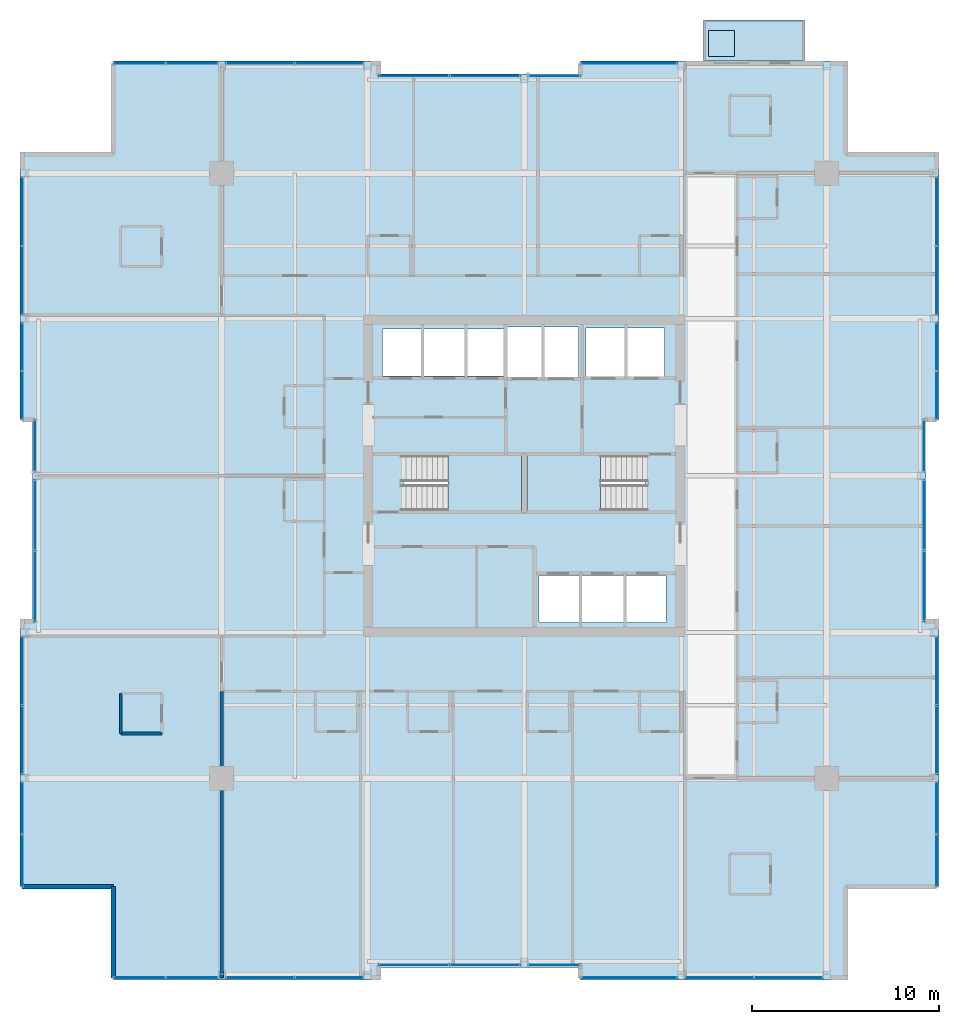
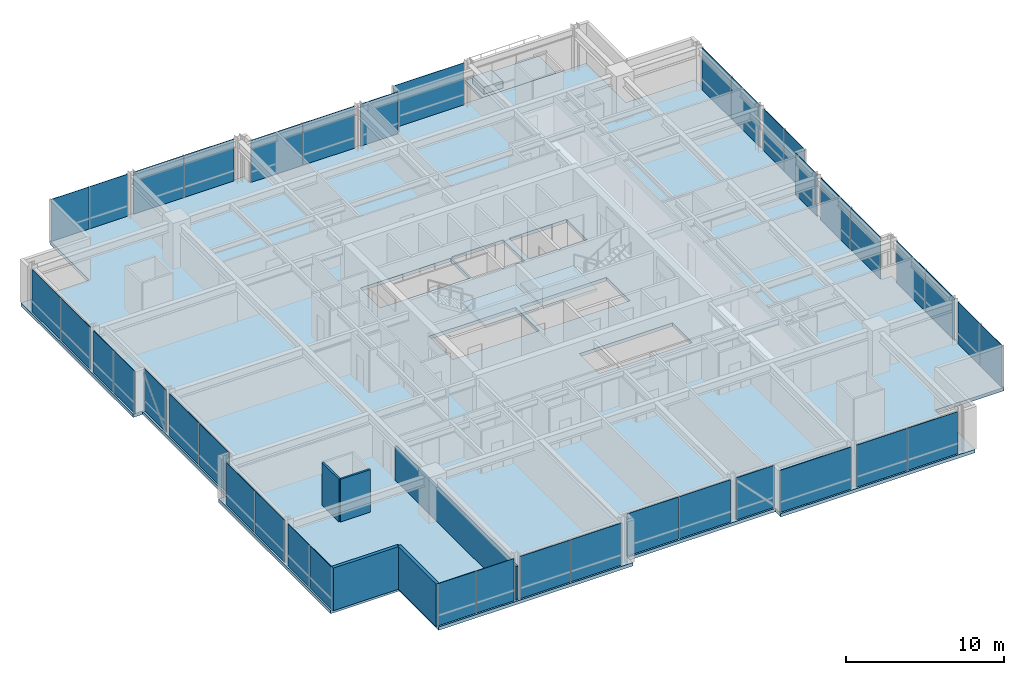
# One storey, part 26 of 34: 40 plates, 5 slabs, 5 walls, 25 elements without a shape of their own.
"""IFC4 building model written with IfcOpenShell, lengths in metres."""

from ifc_helpers import new_model, si_unit, direction, frame, frame_2d, origin, origin_2d, place, context, subcontext, project, spatial, polyline, rectangle, outline, extrude, material, layer, layer_set, type_object, element, aggregate, save


model = new_model("IFC4")

# Units and contexts
model_context = context("Model", 3, precision=1e-05, world=origin(), true_north=direction((0.0, 1.0)))
body_context = subcontext(model_context, "Body", "Model", "MODEL_VIEW")
ifc_project = project(units=[si_unit("LENGTHUNIT", "METRE"), si_unit("AREAUNIT", "SQUARE_METRE"), si_unit("VOLUMEUNIT", "CUBIC_METRE"), si_unit("PLANEANGLEUNIT", "RADIAN"), si_unit("MASSUNIT", "GRAM", prefix="KILO")], contexts=[model_context])

# Site, building, storey
site_placement = place(None, origin())
site = spatial("IfcSite", under=ifc_project, at=site_placement, CompositionType="ELEMENT")
building_placement = place(site_placement, origin())
building = spatial("IfcBuilding", under=site, at=building_placement, Name="Drelvath Grand Hotel", CompositionType="ELEMENT")
storey_placement = place(building_placement, frame((0.0, 0.0, 175.25)))
storey = spatial("IfcBuildingStorey", under=building, at=storey_placement, Name="L45", CompositionType="ELEMENT", Elevation=175.25)

# Slabs
ifc_material_1 = material(Name="Concrete f'c 40 MPa", Category="concrete")
ifc_layer_1 = layer(ifc_material_1, 0.239990234375)
ifc_layer_set_1 = layer_set([ifc_layer_1], Name="Concrete f'c 40 MPa")
slab_type_1 = type_object("IfcSlabType", Name="Cantilevered Tree Balcony Slab 240", PredefinedType="FLOOR", material=ifc_layer_set_1)
slab_1_placement = place(storey_placement, frame((0.0, 0.0, -0.239990234375)))
element("IfcSlab", 1, at=slab_1_placement, inside=storey, type_object=slab_type_1, Name="L45 Cantilevered Tree Balcony Slab 1", PredefinedType="FLOOR", context=body_context, shape_type="SweptSolid", body=[
    extrude(outline(polyline([(9.60009765625, 49.199951171875), (15.0, 49.199951171875), (15.0, 51.39990234375), (9.60009765625, 51.39990234375), (9.60009765625, 49.199951171875)])), origin(), (0.0, 0.0, 1.0), 0.239990234375),
])
ifc_layer_2 = layer(ifc_material_1, 0.260009765625)
ifc_layer_set_2 = layer_set([ifc_layer_2], Name="Concrete f'c 40 MPa")
slab_type_2 = type_object("IfcSlabType", Name="Composite RC Floor Slab 260", PredefinedType="FLOOR", material=ifc_layer_set_2)
slab_2_placement = place(storey_placement, frame((0.0, 0.0, -0.260009765625)))
element("IfcSlab", 2, at=slab_2_placement, inside=storey, type_object=slab_type_2, Name="L45 Structural Floor Slab", PredefinedType="FLOOR", context=body_context, shape_type="SweptSolid", body=[
    extrude(outline(polyline([(-22.0, 0.0), (-7.800048828125, 0.0), (-7.800048828125, 0.679931640625), (3.0, 0.679931640625), (3.0, 0.0), (17.199951171875, 0.0), (17.199951171875, 5.0), (22.199951171875, 5.0), (22.199951171875, 19.199951171875), (21.52001953125, 19.199951171875), (21.52001953125, 30.0), (22.199951171875, 30.0), (22.199951171875, 44.199951171875), (17.199951171875, 44.199951171875), (17.199951171875, 49.199951171875), (3.0, 49.199951171875), (3.0, 48.52001953125), (-7.800048828125, 48.52001953125), (-7.800048828125, 49.199951171875), (-22.0, 49.199951171875), (-22.0, 44.199951171875), (-27.0, 44.199951171875), (-27.0, 30.0), (-26.320068359375, 30.0), (-26.320068359375, 19.199951171875), (-27.0, 19.199951171875), (-27.0, 5.0), (-22.0, 5.0), (-22.0, 0.0)]), holes=[polyline([(-6.47998046875, 25.1201171875), (-6.47998046875, 28.080078125), (-0.14990234375, 28.080078125), (-0.14990234375, 25.1201171875), (-6.47998046875, 25.1201171875)]), polyline([(0.14990234375, 25.1201171875), (0.14990234375, 28.080078125), (6.47998046875, 28.080078125), (6.47998046875, 25.1201171875), (0.14990234375, 25.1201171875)]), polyline([(0.800048828125, 19.14990234375), (0.800048828125, 21.64990234375), (7.60009765625, 21.64990234375), (7.60009765625, 19.14990234375), (0.800048828125, 19.14990234375)]), polyline([(-7.60009765625, 32.35009765625), (-7.60009765625, 34.85009765625), (-1.02001953125, 34.85009765625), (-1.02001953125, 32.35009765625), (-7.60009765625, 32.35009765625)]), polyline([(-0.89990234375, 32.25), (-0.89990234375, 34.949951171875), (2.89990234375, 34.949951171875), (2.89990234375, 32.25), (-0.89990234375, 32.25)]), polyline([(3.300048828125, 32.300048828125), (3.300048828125, 34.89990234375), (7.5, 34.89990234375), (7.5, 32.300048828125), (3.300048828125, 32.300048828125)])]), origin(), (0.0, 0.0, 1.0), 0.260009765625),
])

# Stair, slab
ifc_material_2 = material(Name="Concrete C40/50", Category="concrete")
stair_type = type_object("IfcStairType", Name="Dogleg Exit Stair W1400-R177.5", PredefinedType="HALF_TURN_STAIR", material=ifc_material_2)
stair_1_placement = place(storey_placement, origin())
stair_1 = element("IfcStair", 3, at=stair_1_placement, inside=storey, type_object=stair_type, Name="L45 Core Exit Stair ST-1", PredefinedType="HALF_TURN_STAIR")
ifc_layer_3 = layer(ifc_material_2, 0.199951171875)
ifc_layer_set_3 = layer_set([ifc_layer_3], Name="Concrete C40/50")
slab_type_3 = type_object("IfcSlabType", Name="Concrete Stair Landing Slab 200", PredefinedType="LANDING", material=ifc_layer_set_3)
slab_3_placement = place(storey_placement, frame((0.0, 0.0, 1.574951171875)))
slab_3 = element("IfcSlab", 4, at=slab_3_placement, type_object=slab_type_3, Name="ST-1 landing 1", PredefinedType="LANDING", context=body_context, shape_type="SweptSolid", body=[
    extrude(outline(polyline([(-4.080078125, 25.1201171875), (-0.14990234375, 25.1201171875), (-0.14990234375, 28.080078125), (-4.080078125, 28.080078125), (-4.080078125, 25.1201171875)])), origin(), (0.0, 0.0, 1.0), 0.199951171875),
])
aggregate(stair_1, [slab_3])

stair_2_placement = place(storey_placement, origin())
stair_2 = element("IfcStair", 5, at=stair_2_placement, inside=storey, type_object=stair_type, Name="L45 Core Exit Stair ST-2", PredefinedType="HALF_TURN_STAIR")
slab_4_placement = place(storey_placement, frame((0.0, 0.0, 1.574951171875)))
slab_4 = element("IfcSlab", 6, at=slab_4_placement, type_object=slab_type_3, Name="ST-2 landing 1", PredefinedType="LANDING", context=body_context, shape_type="SweptSolid", body=[
    extrude(outline(polyline([(4.080078125, 28.080078125), (0.14990234375, 28.080078125), (0.14990234375, 25.1201171875), (4.080078125, 25.1201171875), (4.080078125, 28.080078125)])), origin(), (0.0, 0.0, 1.0), 0.199951171875),
])
aggregate(stair_2, [slab_4])

# Curtain wall, plates
ifc_material_3 = material(Name="Brushed Pale-Silver Anodised Aluminium Frame", Category="aluminium")
ifc_layer_4 = layer(ifc_material_3, 0.199951171875)
ifc_layer_set_4 = layer_set([ifc_layer_4], Name="Brushed Pale-Silver Anodised Aluminium Frame")
curtain_wall_type = type_object("IfcCurtainWallType", Name="Stick Curtain Wall CW-04 Brushed Silver Upper-Mid", PredefinedType="NOTDEFINED", material=ifc_layer_set_4)
curtain_wall_1_placement = place(storey_placement, origin())
curtain_wall_1 = element("IfcCurtainWall", 7, at=curtain_wall_1_placement, inside=storey, type_object=curtain_wall_type, Name="L45 CW-04 Curtain Wall CW04-L45-WS1", PredefinedType="NOTDEFINED")
ifc_material_4 = material(Name="Low-E Triple Silver Vision Glass Cool", Category="glass")
ifc_layer_5 = layer(ifc_material_4, 0.035888671875)
ifc_layer_set_5 = layer_set([ifc_layer_5], Name="Low-E Triple Silver Vision Glass Cool")
plate_type = type_object("IfcPlateType", Name="Curtain Wall Vision Panel CW-04 36mm", PredefinedType="CURTAIN_PANEL", material=ifc_layer_set_5)
plate_1_placement = place(storey_placement, frame((-26.8798828125, 6.39990234375, 0.02001953125), z_axis=(0.0, 0.0, 1.0), x_axis=(0.0, 1.0, 0.0)))
plate_1 = element("IfcPlate", 8, at=plate_1_placement, type_object=plate_type, Name="CW04-L45-WS1 Glazed Panel 1", PredefinedType="CURTAIN_PANEL", context=body_context, shape_type="SweptSolid", body=[
    extrude(rectangle(XDim=2.760009765625, YDim=0.035888671875, at=origin_2d()), origin(), (0.0, 0.0, 1.0), 3.25),
])
plate_2_placement = place(storey_placement, frame((-26.8798828125, 9.199951171875, 0.02001953125), z_axis=(0.0, 0.0, 1.0), x_axis=(0.0, 1.0, 0.0)))
plate_2 = element("IfcPlate", 9, at=plate_2_placement, type_object=plate_type, Name="CW04-L45-WS1 Glazed Panel 2", PredefinedType="CURTAIN_PANEL", context=body_context, shape_type="SweptSolid", body=[
    extrude(rectangle(XDim=2.760009765625, YDim=0.035888671875, at=origin_2d()), origin(), (0.0, 0.0, 1.0), 3.25),
])
aggregate(curtain_wall_1, [plate_1, plate_2])

curtain_wall_2_placement = place(storey_placement, origin())
curtain_wall_2 = element("IfcCurtainWall", 10, at=curtain_wall_2_placement, inside=storey, type_object=curtain_wall_type, Name="L45 CW-04 Curtain Wall CW04-L45-WS2", PredefinedType="NOTDEFINED")
plate_3_placement = place(storey_placement, frame((-26.8798828125, 12.85009765625, 0.02001953125), z_axis=(0.0, 0.0, 1.0), x_axis=(0.0, 1.0, 0.0)))
plate_3 = element("IfcPlate", 11, at=plate_3_placement, type_object=plate_type, Name="CW04-L45-WS2 Glazed Panel 1", PredefinedType="CURTAIN_PANEL", context=body_context, shape_type="SweptSolid", body=[
    extrude(rectangle(XDim=3.659912109375, YDim=0.035888671875, at=origin_2d()), origin(), (0.0, 0.0, 1.0), 3.25),
])
plate_4_placement = place(storey_placement, frame((-26.8798828125, 16.550048828125, 0.02001953125), z_axis=(0.0, 0.0, 1.0), x_axis=(0.0, 1.0, 0.0)))
plate_4 = element("IfcPlate", 12, at=plate_4_placement, type_object=plate_type, Name="CW04-L45-WS2 Glazed Panel 2", PredefinedType="CURTAIN_PANEL", context=body_context, shape_type="SweptSolid", body=[
    extrude(rectangle(XDim=3.659912109375, YDim=0.035888671875, at=origin_2d()), origin(), (0.0, 0.0, 1.0), 3.25),
])
aggregate(curtain_wall_2, [plate_3, plate_4])

curtain_wall_3_placement = place(storey_placement, origin())
curtain_wall_3 = element("IfcCurtainWall", 13, at=curtain_wall_3_placement, inside=storey, type_object=curtain_wall_type, Name="L45 CW-04 Curtain Wall CW04-L45-WM1", PredefinedType="NOTDEFINED")
plate_5_placement = place(storey_placement, frame((-26.199951171875, 21.099853515625, 0.02001953125), z_axis=(0.0, 0.0, 1.0), x_axis=(0.0, 1.0, 0.0)))
plate_5 = element("IfcPlate", 14, at=plate_5_placement, type_object=plate_type, Name="CW04-L45-WM1 Glazed Panel 1", PredefinedType="CURTAIN_PANEL", context=body_context, shape_type="SweptSolid", body=[
    extrude(rectangle(XDim=3.760009765625, YDim=0.035888671875, at=origin_2d()), origin(), (0.0, 0.0, 1.0), 3.25),
])
plate_6_placement = place(storey_placement, frame((-26.199951171875, 24.89990234375, 0.02001953125), z_axis=(0.0, 0.0, 1.0), x_axis=(0.0, 1.0, 0.0)))
plate_6 = element("IfcPlate", 15, at=plate_6_placement, type_object=plate_type, Name="CW04-L45-WM1 Glazed Panel 2", PredefinedType="CURTAIN_PANEL", context=body_context, shape_type="SweptSolid", body=[
    extrude(rectangle(XDim=3.760009765625, YDim=0.035888671875, at=origin_2d()), origin(), (0.0, 0.0, 1.0), 3.25),
])
aggregate(curtain_wall_3, [plate_5, plate_6])

# Curtain wall, plate
curtain_wall_4_placement = place(storey_placement, origin())
curtain_wall_4 = element("IfcCurtainWall", 16, at=curtain_wall_4_placement, inside=storey, type_object=curtain_wall_type, Name="L45 CW-04 Curtain Wall CW04-L45-WM2", PredefinedType="NOTDEFINED")
plate_7_placement = place(storey_placement, frame((-26.199951171875, 28.60009765625, 0.02001953125), z_axis=(0.0, 0.0, 1.0), x_axis=(0.0, 1.0, 0.0)))
plate_7 = element("IfcPlate", 17, at=plate_7_placement, type_object=plate_type, Name="CW04-L45-WM2 Glazed Panel 1", PredefinedType="CURTAIN_PANEL", context=body_context, shape_type="SweptSolid", body=[
    extrude(rectangle(XDim=2.760009765625, YDim=0.035888671875, at=origin_2d()), origin(), (0.0, 0.0, 1.0), 3.25),
])
aggregate(curtain_wall_4, [plate_7])

# Curtain wall, plates
curtain_wall_5_placement = place(storey_placement, origin())
curtain_wall_5 = element("IfcCurtainWall", 18, at=curtain_wall_5_placement, inside=storey, type_object=curtain_wall_type, Name="L45 CW-04 Curtain Wall CW04-L45-WN1", PredefinedType="NOTDEFINED")
plate_8_placement = place(storey_placement, frame((-26.8798828125, 31.300048828125, 0.02001953125), z_axis=(0.0, 0.0, 1.0), x_axis=(0.0, 1.0, 0.0)))
plate_8 = element("IfcPlate", 19, at=plate_8_placement, type_object=plate_type, Name="CW04-L45-WN1 Glazed Panel 1", PredefinedType="CURTAIN_PANEL", context=body_context, shape_type="SweptSolid", body=[
    extrude(rectangle(XDim=2.56005859375, YDim=0.035888671875, at=origin_2d()), origin(), (0.0, 0.0, 1.0), 3.25),
])
plate_9_placement = place(storey_placement, frame((-26.8798828125, 33.89990234375, 0.02001953125), z_axis=(0.0, 0.0, 1.0), x_axis=(0.0, 1.0, 0.0)))
plate_9 = element("IfcPlate", 20, at=plate_9_placement, type_object=plate_type, Name="CW04-L45-WN1 Glazed Panel 2", PredefinedType="CURTAIN_PANEL", context=body_context, shape_type="SweptSolid", body=[
    extrude(rectangle(XDim=2.56005859375, YDim=0.035888671875, at=origin_2d()), origin(), (0.0, 0.0, 1.0), 3.25),
])
aggregate(curtain_wall_5, [plate_8, plate_9])

curtain_wall_6_placement = place(storey_placement, origin())
curtain_wall_6 = element("IfcCurtainWall", 21, at=curtain_wall_6_placement, inside=storey, type_object=curtain_wall_type, Name="L45 CW-04 Curtain Wall CW04-L45-WN2", PredefinedType="NOTDEFINED")
plate_10_placement = place(storey_placement, frame((-26.8798828125, 37.449951171875, 0.02001953125), z_axis=(0.0, 0.0, 1.0), x_axis=(0.0, 1.0, 0.0)))
plate_10 = element("IfcPlate", 22, at=plate_10_placement, type_object=plate_type, Name="CW04-L45-WN2 Glazed Panel 1", PredefinedType="CURTAIN_PANEL", context=body_context, shape_type="SweptSolid", body=[
    extrude(rectangle(XDim=3.659912109375, YDim=0.035888671875, at=origin_2d()), origin(), (0.0, 0.0, 1.0), 3.25),
])
plate_11_placement = place(storey_placement, frame((-26.8798828125, 41.14990234375, 0.02001953125), z_axis=(0.0, 0.0, 1.0), x_axis=(0.0, 1.0, 0.0)))
plate_11 = element("IfcPlate", 23, at=plate_11_placement, type_object=plate_type, Name="CW04-L45-WN2 Glazed Panel 2", PredefinedType="CURTAIN_PANEL", context=body_context, shape_type="SweptSolid", body=[
    extrude(rectangle(XDim=3.659912109375, YDim=0.035888671875, at=origin_2d()), origin(), (0.0, 0.0, 1.0), 3.25),
])
aggregate(curtain_wall_6, [plate_10, plate_11])

curtain_wall_7_placement = place(storey_placement, origin())
curtain_wall_7 = element("IfcCurtainWall", 24, at=curtain_wall_7_placement, inside=storey, type_object=curtain_wall_type, Name="L45 CW-04 Curtain Wall CW04-L45-EN1", PredefinedType="NOTDEFINED")
plate_12_placement = place(storey_placement, frame((22.080078125, 33.89990234375, 0.02001953125), z_axis=(0.0, 0.0, 1.0), x_axis=(0.0, -1.0, 0.0)))
plate_12 = element("IfcPlate", 25, at=plate_12_placement, type_object=plate_type, Name="CW04-L45-EN1 Glazed Panel 1", PredefinedType="CURTAIN_PANEL", context=body_context, shape_type="SweptSolid", body=[
    extrude(rectangle(XDim=2.56005859375, YDim=0.035888671875, at=origin_2d()), origin(), (0.0, 0.0, 1.0), 3.25),
])
plate_13_placement = place(storey_placement, frame((22.080078125, 31.300048828125, 0.02001953125), z_axis=(0.0, 0.0, 1.0), x_axis=(0.0, -1.0, 0.0)))
plate_13 = element("IfcPlate", 26, at=plate_13_placement, type_object=plate_type, Name="CW04-L45-EN1 Glazed Panel 2", PredefinedType="CURTAIN_PANEL", context=body_context, shape_type="SweptSolid", body=[
    extrude(rectangle(XDim=2.56005859375, YDim=0.035888671875, at=origin_2d()), origin(), (0.0, 0.0, 1.0), 3.25),
])
aggregate(curtain_wall_7, [plate_12, plate_13])

curtain_wall_8_placement = place(storey_placement, origin())
curtain_wall_8 = element("IfcCurtainWall", 27, at=curtain_wall_8_placement, inside=storey, type_object=curtain_wall_type, Name="L45 CW-04 Curtain Wall CW04-L45-EN2", PredefinedType="NOTDEFINED")
plate_14_placement = place(storey_placement, frame((22.080078125, 41.14990234375, 0.02001953125), z_axis=(0.0, 0.0, 1.0), x_axis=(0.0, -1.0, 0.0)))
plate_14 = element("IfcPlate", 28, at=plate_14_placement, type_object=plate_type, Name="CW04-L45-EN2 Glazed Panel 1", PredefinedType="CURTAIN_PANEL", context=body_context, shape_type="SweptSolid", body=[
    extrude(rectangle(XDim=3.659912109375, YDim=0.035888671875, at=origin_2d()), origin(), (0.0, 0.0, 1.0), 3.25),
])
plate_15_placement = place(storey_placement, frame((22.080078125, 37.449951171875, 0.02001953125), z_axis=(0.0, 0.0, 1.0), x_axis=(0.0, -1.0, 0.0)))
plate_15 = element("IfcPlate", 29, at=plate_15_placement, type_object=plate_type, Name="CW04-L45-EN2 Glazed Panel 2", PredefinedType="CURTAIN_PANEL", context=body_context, shape_type="SweptSolid", body=[
    extrude(rectangle(XDim=3.659912109375, YDim=0.035888671875, at=origin_2d()), origin(), (0.0, 0.0, 1.0), 3.25),
])
aggregate(curtain_wall_8, [plate_14, plate_15])

curtain_wall_9_placement = place(storey_placement, origin())
curtain_wall_9 = element("IfcCurtainWall", 30, at=curtain_wall_9_placement, inside=storey, type_object=curtain_wall_type, Name="L45 CW-04 Curtain Wall CW04-L45-EM1", PredefinedType="NOTDEFINED")
plate_16_placement = place(storey_placement, frame((21.39990234375, 24.89990234375, 0.02001953125), z_axis=(0.0, 0.0, 1.0), x_axis=(0.0, -1.0, 0.0)))
plate_16 = element("IfcPlate", 31, at=plate_16_placement, type_object=plate_type, Name="CW04-L45-EM1 Glazed Panel 1", PredefinedType="CURTAIN_PANEL", context=body_context, shape_type="SweptSolid", body=[
    extrude(rectangle(XDim=3.760009765625, YDim=0.035888671875, at=origin_2d()), origin(), (0.0, 0.0, 1.0), 3.25),
])
plate_17_placement = place(storey_placement, frame((21.39990234375, 21.099853515625, 0.02001953125), z_axis=(0.0, 0.0, 1.0), x_axis=(0.0, -1.0, 0.0)))
plate_17 = element("IfcPlate", 32, at=plate_17_placement, type_object=plate_type, Name="CW04-L45-EM1 Glazed Panel 2", PredefinedType="CURTAIN_PANEL", context=body_context, shape_type="SweptSolid", body=[
    extrude(rectangle(XDim=3.760009765625, YDim=0.035888671875, at=origin_2d()), origin(), (0.0, 0.0, 1.0), 3.25),
])
aggregate(curtain_wall_9, [plate_16, plate_17])

# Curtain wall, plate
curtain_wall_10_placement = place(storey_placement, origin())
curtain_wall_10 = element("IfcCurtainWall", 33, at=curtain_wall_10_placement, inside=storey, type_object=curtain_wall_type, Name="L45 CW-04 Curtain Wall CW04-L45-EM2", PredefinedType="NOTDEFINED")
plate_18_placement = place(storey_placement, frame((21.39990234375, 28.60009765625, 0.02001953125), z_axis=(0.0, 0.0, 1.0), x_axis=(0.0, -1.0, 0.0)))
plate_18 = element("IfcPlate", 34, at=plate_18_placement, type_object=plate_type, Name="CW04-L45-EM2 Glazed Panel 1", PredefinedType="CURTAIN_PANEL", context=body_context, shape_type="SweptSolid", body=[
    extrude(rectangle(XDim=2.760009765625, YDim=0.035888671875, at=origin_2d()), origin(), (0.0, 0.0, 1.0), 3.25),
])
aggregate(curtain_wall_10, [plate_18])

# Curtain wall, plates
curtain_wall_11_placement = place(storey_placement, origin())
curtain_wall_11 = element("IfcCurtainWall", 35, at=curtain_wall_11_placement, inside=storey, type_object=curtain_wall_type, Name="L45 CW-04 Curtain Wall CW04-L45-ES1", PredefinedType="NOTDEFINED")
plate_19_placement = place(storey_placement, frame((22.080078125, 9.199951171875, 0.02001953125), z_axis=(0.0, 0.0, 1.0), x_axis=(0.0, -1.0, 0.0)))
plate_19 = element("IfcPlate", 36, at=plate_19_placement, type_object=plate_type, Name="CW04-L45-ES1 Glazed Panel 1", PredefinedType="CURTAIN_PANEL", context=body_context, shape_type="SweptSolid", body=[
    extrude(rectangle(XDim=2.760009765625, YDim=0.035888671875, at=origin_2d()), origin(), (0.0, 0.0, 1.0), 3.25),
])
plate_20_placement = place(storey_placement, frame((22.080078125, 6.39990234375, 0.02001953125), z_axis=(0.0, 0.0, 1.0), x_axis=(0.0, -1.0, 0.0)))
plate_20 = element("IfcPlate", 37, at=plate_20_placement, type_object=plate_type, Name="CW04-L45-ES1 Glazed Panel 2", PredefinedType="CURTAIN_PANEL", context=body_context, shape_type="SweptSolid", body=[
    extrude(rectangle(XDim=2.760009765625, YDim=0.035888671875, at=origin_2d()), origin(), (0.0, 0.0, 1.0), 3.25),
])
aggregate(curtain_wall_11, [plate_19, plate_20])

curtain_wall_12_placement = place(storey_placement, origin())
curtain_wall_12 = element("IfcCurtainWall", 38, at=curtain_wall_12_placement, inside=storey, type_object=curtain_wall_type, Name="L45 CW-04 Curtain Wall CW04-L45-ES2", PredefinedType="NOTDEFINED")
plate_21_placement = place(storey_placement, frame((22.080078125, 16.550048828125, 0.02001953125), z_axis=(0.0, 0.0, 1.0), x_axis=(0.0, -1.0, 0.0)))
plate_21 = element("IfcPlate", 39, at=plate_21_placement, type_object=plate_type, Name="CW04-L45-ES2 Glazed Panel 1", PredefinedType="CURTAIN_PANEL", context=body_context, shape_type="SweptSolid", body=[
    extrude(rectangle(XDim=3.659912109375, YDim=0.035888671875, at=origin_2d()), origin(), (0.0, 0.0, 1.0), 3.25),
])
plate_22_placement = place(storey_placement, frame((22.080078125, 12.85009765625, 0.02001953125), z_axis=(0.0, 0.0, 1.0), x_axis=(0.0, -1.0, 0.0)))
plate_22 = element("IfcPlate", 40, at=plate_22_placement, type_object=plate_type, Name="CW04-L45-ES2 Glazed Panel 2", PredefinedType="CURTAIN_PANEL", context=body_context, shape_type="SweptSolid", body=[
    extrude(rectangle(XDim=3.659912109375, YDim=0.035888671875, at=origin_2d()), origin(), (0.0, 0.0, 1.0), 3.25),
])
aggregate(curtain_wall_12, [plate_21, plate_22])

curtain_wall_13_placement = place(storey_placement, origin())
curtain_wall_13 = element("IfcCurtainWall", 41, at=curtain_wall_13_placement, inside=storey, type_object=curtain_wall_type, Name="L45 CW-04 Curtain Wall CW04-L45-NW1", PredefinedType="NOTDEFINED")
plate_23_placement = place(storey_placement, frame((-20.60009765625, 49.080078125, 0.02001953125), z_axis=(0.0, 0.0, 1.0), x_axis=(1.0, 0.0, 0.0)))
plate_23 = element("IfcPlate", 42, at=plate_23_placement, type_object=plate_type, Name="CW04-L45-NW1 Glazed Panel 1", PredefinedType="CURTAIN_PANEL", context=body_context, shape_type="SweptSolid", body=[
    extrude(rectangle(XDim=2.760009765625, YDim=0.035888671875, at=origin_2d()), origin(), (0.0, 0.0, 1.0), 3.25),
])
plate_24_placement = place(storey_placement, frame((-17.800048828125, 49.080078125, 0.02001953125), z_axis=(0.0, 0.0, 1.0), x_axis=(1.0, 0.0, 0.0)))
plate_24 = element("IfcPlate", 43, at=plate_24_placement, type_object=plate_type, Name="CW04-L45-NW1 Glazed Panel 2", PredefinedType="CURTAIN_PANEL", context=body_context, shape_type="SweptSolid", body=[
    extrude(rectangle(XDim=2.760009765625, YDim=0.035888671875, at=origin_2d()), origin(), (0.0, 0.0, 1.0), 3.25),
])
aggregate(curtain_wall_13, [plate_23, plate_24])

curtain_wall_14_placement = place(storey_placement, origin())
curtain_wall_14 = element("IfcCurtainWall", 44, at=curtain_wall_14_placement, inside=storey, type_object=curtain_wall_type, Name="L45 CW-04 Curtain Wall CW04-L45-NW2", PredefinedType="NOTDEFINED")
plate_25_placement = place(storey_placement, frame((-14.14990234375, 49.080078125, 0.02001953125), z_axis=(0.0, 0.0, 1.0), x_axis=(1.0, 0.0, 0.0)))
plate_25 = element("IfcPlate", 45, at=plate_25_placement, type_object=plate_type, Name="CW04-L45-NW2 Glazed Panel 1", PredefinedType="CURTAIN_PANEL", context=body_context, shape_type="SweptSolid", body=[
    extrude(rectangle(XDim=3.659912109375, YDim=0.035888671875, at=origin_2d()), origin(), (0.0, 0.0, 1.0), 3.25),
])
plate_26_placement = place(storey_placement, frame((-10.4501953125, 49.080078125, 0.02001953125), z_axis=(0.0, 0.0, 1.0), x_axis=(1.0, 0.0, 0.0)))
plate_26 = element("IfcPlate", 46, at=plate_26_placement, type_object=plate_type, Name="CW04-L45-NW2 Glazed Panel 2", PredefinedType="CURTAIN_PANEL", context=body_context, shape_type="SweptSolid", body=[
    extrude(rectangle(XDim=3.659912109375, YDim=0.035888671875, at=origin_2d()), origin(), (0.0, 0.0, 1.0), 3.25),
])
aggregate(curtain_wall_14, [plate_25, plate_26])

curtain_wall_15_placement = place(storey_placement, origin())
curtain_wall_15 = element("IfcCurtainWall", 47, at=curtain_wall_15_placement, inside=storey, type_object=curtain_wall_type, Name="L45 CW-04 Curtain Wall CW04-L45-NM1", PredefinedType="NOTDEFINED")
plate_27_placement = place(storey_placement, frame((-5.89990234375, 48.39990234375, 0.02001953125), z_axis=(0.0, 0.0, 1.0), x_axis=(1.0, 0.0, 0.0)))
plate_27 = element("IfcPlate", 48, at=plate_27_placement, type_object=plate_type, Name="CW04-L45-NM1 Glazed Panel 1", PredefinedType="CURTAIN_PANEL", context=body_context, shape_type="SweptSolid", body=[
    extrude(rectangle(XDim=3.760009765625, YDim=0.035888671875, at=origin_2d()), origin(), (0.0, 0.0, 1.0), 3.25),
])
plate_28_placement = place(storey_placement, frame((-2.10009765625, 48.39990234375, 0.02001953125), z_axis=(0.0, 0.0, 1.0), x_axis=(1.0, 0.0, 0.0)))
plate_28 = element("IfcPlate", 49, at=plate_28_placement, type_object=plate_type, Name="CW04-L45-NM1 Glazed Panel 2", PredefinedType="CURTAIN_PANEL", context=body_context, shape_type="SweptSolid", body=[
    extrude(rectangle(XDim=3.760009765625, YDim=0.035888671875, at=origin_2d()), origin(), (0.0, 0.0, 1.0), 3.25),
])
aggregate(curtain_wall_15, [plate_27, plate_28])

# Curtain wall, plate
curtain_wall_16_placement = place(storey_placement, origin())
curtain_wall_16 = element("IfcCurtainWall", 50, at=curtain_wall_16_placement, inside=storey, type_object=curtain_wall_type, Name="L45 CW-04 Curtain Wall CW04-L45-NM2", PredefinedType="NOTDEFINED")
plate_29_placement = place(storey_placement, frame((1.60009765625, 48.39990234375, 0.02001953125), z_axis=(0.0, 0.0, 1.0), x_axis=(1.0, 0.0, 0.0)))
plate_29 = element("IfcPlate", 51, at=plate_29_placement, type_object=plate_type, Name="CW04-L45-NM2 Glazed Panel 1", PredefinedType="CURTAIN_PANEL", context=body_context, shape_type="SweptSolid", body=[
    extrude(rectangle(XDim=2.760009765625, YDim=0.035888671875, at=origin_2d()), origin(), (0.0, 0.0, 1.0), 3.25),
])
aggregate(curtain_wall_16, [plate_29])

curtain_wall_17_placement = place(storey_placement, origin())
curtain_wall_17 = element("IfcCurtainWall", 52, at=curtain_wall_17_placement, inside=storey, type_object=curtain_wall_type, Name="L45 CW-04 Curtain Wall CW04-L45-NE1", PredefinedType="NOTDEFINED")
plate_30_placement = place(storey_placement, frame((5.599853515625, 49.080078125, 0.02001953125), z_axis=(0.0, 0.0, 1.0), x_axis=(1.0, 0.0, 0.0)))
plate_30 = element("IfcPlate", 53, at=plate_30_placement, type_object=plate_type, Name="CW04-L45-NE1 Glazed Panel 1", PredefinedType="CURTAIN_PANEL", context=body_context, shape_type="SweptSolid", body=[
    extrude(rectangle(XDim=5.159912109375, YDim=0.035888671875, at=origin_2d()), origin(), (0.0, 0.0, 1.0), 3.25),
])
aggregate(curtain_wall_17, [plate_30])

curtain_wall_18_placement = place(storey_placement, origin())
curtain_wall_18 = element("IfcCurtainWall", 54, at=curtain_wall_18_placement, inside=storey, type_object=curtain_wall_type, Name="L45 CW-04 Curtain Wall CW04-L45-SE1", PredefinedType="NOTDEFINED")
plate_31_placement = place(storey_placement, frame((5.599853515625, 0.1201171875, 0.02001953125), z_axis=(0.0, 0.0, 1.0), x_axis=(-1.0, 0.0, 0.0)))
plate_31 = element("IfcPlate", 55, at=plate_31_placement, type_object=plate_type, Name="CW04-L45-SE1 Glazed Panel 1", PredefinedType="CURTAIN_PANEL", context=body_context, shape_type="SweptSolid", body=[
    extrude(rectangle(XDim=5.159912109375, YDim=0.035888671875, at=origin_2d()), origin(), (0.0, 0.0, 1.0), 3.25),
])
aggregate(curtain_wall_18, [plate_31])

# Curtain wall, plates
curtain_wall_19_placement = place(storey_placement, origin())
curtain_wall_19 = element("IfcCurtainWall", 56, at=curtain_wall_19_placement, inside=storey, type_object=curtain_wall_type, Name="L45 CW-04 Curtain Wall CW04-L45-SE2", PredefinedType="NOTDEFINED")
plate_32_placement = place(storey_placement, frame((14.14990234375, 0.1201171875, 0.02001953125), z_axis=(0.0, 0.0, 1.0), x_axis=(-1.0, 0.0, 0.0)))
plate_32 = element("IfcPlate", 57, at=plate_32_placement, type_object=plate_type, Name="CW04-L45-SE2 Glazed Panel 1", PredefinedType="CURTAIN_PANEL", context=body_context, shape_type="SweptSolid", body=[
    extrude(rectangle(XDim=3.659912109375, YDim=0.035888671875, at=origin_2d()), origin(), (0.0, 0.0, 1.0), 3.25),
])
plate_33_placement = place(storey_placement, frame((10.4501953125, 0.1201171875, 0.02001953125), z_axis=(0.0, 0.0, 1.0), x_axis=(-1.0, 0.0, 0.0)))
plate_33 = element("IfcPlate", 58, at=plate_33_placement, type_object=plate_type, Name="CW04-L45-SE2 Glazed Panel 2", PredefinedType="CURTAIN_PANEL", context=body_context, shape_type="SweptSolid", body=[
    extrude(rectangle(XDim=3.659912109375, YDim=0.035888671875, at=origin_2d()), origin(), (0.0, 0.0, 1.0), 3.25),
])
aggregate(curtain_wall_19, [plate_32, plate_33])

curtain_wall_20_placement = place(storey_placement, origin())
curtain_wall_20 = element("IfcCurtainWall", 59, at=curtain_wall_20_placement, inside=storey, type_object=curtain_wall_type, Name="L45 CW-04 Curtain Wall CW04-L45-SM1", PredefinedType="NOTDEFINED")
plate_34_placement = place(storey_placement, frame((-2.10009765625, 0.800048828125, 0.02001953125), z_axis=(0.0, 0.0, 1.0), x_axis=(-1.0, 0.0, 0.0)))
plate_34 = element("IfcPlate", 60, at=plate_34_placement, type_object=plate_type, Name="CW04-L45-SM1 Glazed Panel 1", PredefinedType="CURTAIN_PANEL", context=body_context, shape_type="SweptSolid", body=[
    extrude(rectangle(XDim=3.760009765625, YDim=0.035888671875, at=origin_2d()), origin(), (0.0, 0.0, 1.0), 3.25),
])
plate_35_placement = place(storey_placement, frame((-5.89990234375, 0.800048828125, 0.02001953125), z_axis=(0.0, 0.0, 1.0), x_axis=(-1.0, 0.0, 0.0)))
plate_35 = element("IfcPlate", 61, at=plate_35_placement, type_object=plate_type, Name="CW04-L45-SM1 Glazed Panel 2", PredefinedType="CURTAIN_PANEL", context=body_context, shape_type="SweptSolid", body=[
    extrude(rectangle(XDim=3.760009765625, YDim=0.035888671875, at=origin_2d()), origin(), (0.0, 0.0, 1.0), 3.25),
])
aggregate(curtain_wall_20, [plate_34, plate_35])

# Curtain wall, plate
curtain_wall_21_placement = place(storey_placement, origin())
curtain_wall_21 = element("IfcCurtainWall", 62, at=curtain_wall_21_placement, inside=storey, type_object=curtain_wall_type, Name="L45 CW-04 Curtain Wall CW04-L45-SM2", PredefinedType="NOTDEFINED")
plate_36_placement = place(storey_placement, frame((1.60009765625, 0.800048828125, 0.02001953125), z_axis=(0.0, 0.0, 1.0), x_axis=(-1.0, 0.0, 0.0)))
plate_36 = element("IfcPlate", 63, at=plate_36_placement, type_object=plate_type, Name="CW04-L45-SM2 Glazed Panel 1", PredefinedType="CURTAIN_PANEL", context=body_context, shape_type="SweptSolid", body=[
    extrude(rectangle(XDim=2.760009765625, YDim=0.035888671875, at=origin_2d()), origin(), (0.0, 0.0, 1.0), 3.25),
])
aggregate(curtain_wall_21, [plate_36])

# Curtain wall, plates
curtain_wall_22_placement = place(storey_placement, origin())
curtain_wall_22 = element("IfcCurtainWall", 64, at=curtain_wall_22_placement, inside=storey, type_object=curtain_wall_type, Name="L45 CW-04 Curtain Wall CW04-L45-SW1", PredefinedType="NOTDEFINED")
plate_37_placement = place(storey_placement, frame((-17.800048828125, 0.1201171875, 0.02001953125), z_axis=(0.0, 0.0, 1.0), x_axis=(-1.0, 0.0, 0.0)))
plate_37 = element("IfcPlate", 65, at=plate_37_placement, type_object=plate_type, Name="CW04-L45-SW1 Glazed Panel 1", PredefinedType="CURTAIN_PANEL", context=body_context, shape_type="SweptSolid", body=[
    extrude(rectangle(XDim=2.760009765625, YDim=0.035888671875, at=origin_2d()), origin(), (0.0, 0.0, 1.0), 3.25),
])
plate_38_placement = place(storey_placement, frame((-20.60009765625, 0.1201171875, 0.02001953125), z_axis=(0.0, 0.0, 1.0), x_axis=(-1.0, 0.0, 0.0)))
plate_38 = element("IfcPlate", 66, at=plate_38_placement, type_object=plate_type, Name="CW04-L45-SW1 Glazed Panel 2", PredefinedType="CURTAIN_PANEL", context=body_context, shape_type="SweptSolid", body=[
    extrude(rectangle(XDim=2.760009765625, YDim=0.035888671875, at=origin_2d()), origin(), (0.0, 0.0, 1.0), 3.25),
])
aggregate(curtain_wall_22, [plate_37, plate_38])

curtain_wall_23_placement = place(storey_placement, origin())
curtain_wall_23 = element("IfcCurtainWall", 67, at=curtain_wall_23_placement, inside=storey, type_object=curtain_wall_type, Name="L45 CW-04 Curtain Wall CW04-L45-SW2", PredefinedType="NOTDEFINED")
plate_39_placement = place(storey_placement, frame((-10.4501953125, 0.1201171875, 0.02001953125), z_axis=(0.0, 0.0, 1.0), x_axis=(-1.0, 0.0, 0.0)))
plate_39 = element("IfcPlate", 68, at=plate_39_placement, type_object=plate_type, Name="CW04-L45-SW2 Glazed Panel 1", PredefinedType="CURTAIN_PANEL", context=body_context, shape_type="SweptSolid", body=[
    extrude(rectangle(XDim=3.659912109375, YDim=0.035888671875, at=origin_2d()), origin(), (0.0, 0.0, 1.0), 3.25),
])
plate_40_placement = place(storey_placement, frame((-14.14990234375, 0.1201171875, 0.02001953125), z_axis=(0.0, 0.0, 1.0), x_axis=(-1.0, 0.0, 0.0)))
plate_40 = element("IfcPlate", 69, at=plate_40_placement, type_object=plate_type, Name="CW04-L45-SW2 Glazed Panel 2", PredefinedType="CURTAIN_PANEL", context=body_context, shape_type="SweptSolid", body=[
    extrude(rectangle(XDim=3.659912109375, YDim=0.035888671875, at=origin_2d()), origin(), (0.0, 0.0, 1.0), 3.25),
])
aggregate(curtain_wall_23, [plate_39, plate_40])

# Slab
ifc_layer_6 = layer(ifc_material_1, 0.550048828125)
ifc_layer_set_6 = layer_set([ifc_layer_6], Name="Concrete f'c 40 MPa")
slab_type_4 = type_object("IfcSlabType", Name="Structural Tree Planter Box 550", PredefinedType="USERDEFINED", material=ifc_layer_set_6)
slab_5_placement = place(storey_placement, origin())
element("IfcSlab", 70, at=slab_5_placement, inside=storey, type_object=slab_type_4, Name="L45 Tree Balcony Structural Planter 1", ObjectType="PLANTER", PredefinedType="USERDEFINED", context=body_context, shape_type="SweptSolid", body=[
    extrude(outline(polyline([(9.85009765625, 49.449951171875), (11.25, 49.449951171875), (11.25, 50.85009765625), (9.85009765625, 50.85009765625), (9.85009765625, 49.449951171875)])), origin(), (0.0, 0.0, 1.0), 0.550048828125),
])

# Walls
ifc_material_5 = material(Name="Moisture-Resistant Gypsum Board")
ifc_layer_7 = layer(ifc_material_5, 0.139892578125)
ifc_layer_set_7 = layer_set([ifc_layer_7], Name="Moisture-Resistant Gypsum Board")
wall_type_1 = type_object("IfcWallType", Name="En-Suite Plumbing Wall 140", PredefinedType="PLUMBINGWALL", material=ifc_layer_set_7)
wall_1_placement = place(storey_placement, frame((-21.60009765625, 13.199951171875, 0.0), z_axis=(0.0, 0.0, 1.0), x_axis=(1.0, 0.0, 0.0)))
element("IfcWall", 71, at=wall_1_placement, inside=storey, type_object=wall_type_1, Name="L45 Corner En-Suite South", PredefinedType="PLUMBINGWALL", context=body_context, shape_type="SweptSolid", body=[
    extrude(rectangle(XDim=2.2001953125, YDim=0.139892578125, at=frame_2d((1.10009765625, 0.0))), origin(), (0.0, 0.0, 1.0), 3.2900390625),
])
wall_2_placement = place(storey_placement, frame((-21.60009765625, 13.199951171875, 0.0), z_axis=(0.0, 0.0, 1.0), x_axis=(0.0, 1.0, 0.0)))
element("IfcWall", 72, at=wall_2_placement, inside=storey, type_object=wall_type_1, Name="L45 Corner En-Suite West", PredefinedType="PLUMBINGWALL", context=body_context, shape_type="SweptSolid", body=[
    extrude(rectangle(XDim=2.150146484375, YDim=0.139892578125, at=frame_2d((1.0751953125, 0.0))), origin(), (0.0, 0.0, 1.0), 3.2900390625),
])
ifc_material_6 = material(Name="Gypsum Acoustic Partition")
ifc_layer_8 = layer(ifc_material_6, 0.1650390625)
ifc_layer_set_8 = layer_set([ifc_layer_8], Name="Gypsum Acoustic Partition")
wall_type_2 = type_object("IfcWallType", Name="Suite Demising Wall 165", PredefinedType="PARTITIONING", material=ifc_layer_set_8)
wall_3_placement = place(storey_placement, frame((-16.199951171875, 0.1201171875, 0.0), z_axis=(0.0, 0.0, 1.0), x_axis=(0.0, 1.0, 0.0)))
element("IfcWall", 73, at=wall_3_placement, inside=storey, type_object=wall_type_2, Name="L45 SW Suite East Wall", PredefinedType="PARTITIONING", context=body_context, shape_type="SweptSolid", body=[
    extrude(rectangle(XDim=15.329833984375, YDim=0.1650390625, at=frame_2d((7.6650390625, 0.0))), origin(), (0.0, 0.0, 1.0), 2.57958984375),
])
ifc_material_7 = material(Name="Pale-Metal Insulated Aluminium Spandrel Assembly", Category="aluminium")
ifc_layer_9 = layer(ifc_material_7, 0.239990234375)
ifc_layer_set_9 = layer_set([ifc_layer_9], Name="Pale-Metal Insulated Aluminium Spandrel Assembly")
wall_type_3 = type_object("IfcWallType", Name="Tower Insulated Metal Spandrel Closure Wall 240", PredefinedType="STANDARD", material=ifc_layer_set_9)
for number, where, z_axis, x_axis, name in (
    (74, (-22.0, 0.1201171875, 0.0), (0.0, 0.0, 1.0), (0.0, 1.0, 0.0), "L45 Notched Corner Return Spandrel Wall CSW1"),
    (75, (-22.0, 5.0, 0.0), (0.0, 0.0, 1.0), (-1.0, 0.0, 0.0), "L45 Notched Corner Return Spandrel Wall CSW2"),
):
    element("IfcWall", number, at=place(storey_placement, frame(where, z_axis=z_axis, x_axis=x_axis)), inside=storey, type_object=wall_type_3, Name=name, PredefinedType="STANDARD", context=body_context, shape_type="SweptSolid", body=[
        extrude(rectangle(XDim=4.8798828125, YDim=0.239990234375, at=frame_2d((2.43994140625, 0.0))), origin(), (0.0, 0.0, 1.0), 3.2900390625),
    ])

save(model, "model.ifc")
